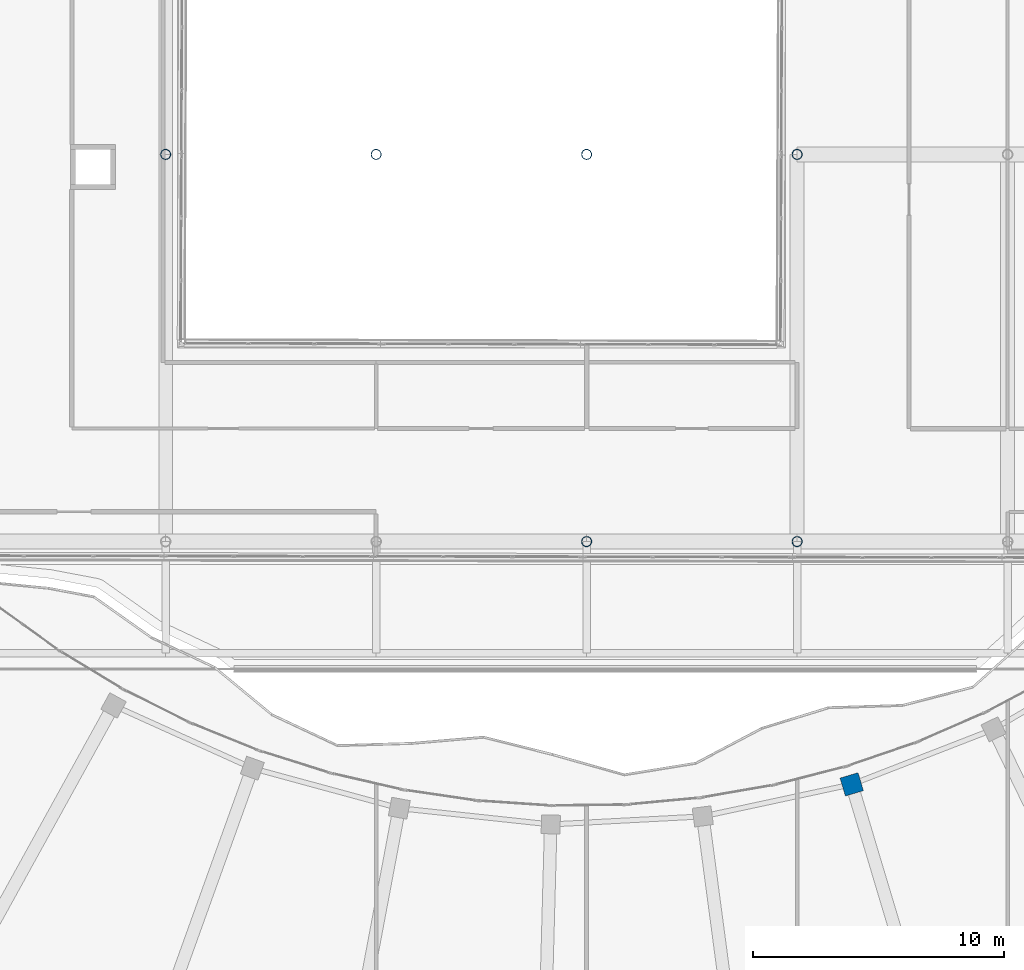
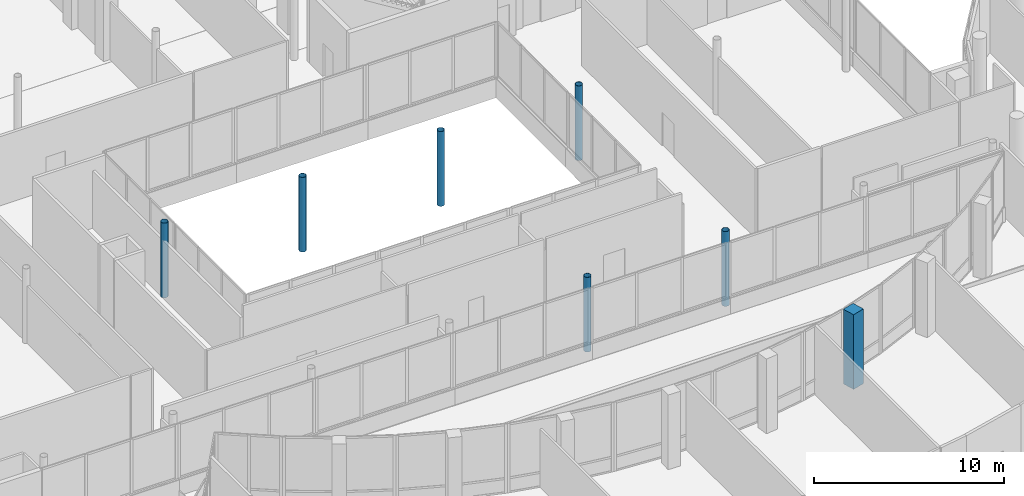
# One storey, part 3 of 168: 7 columns.
"""IFC4 building model written with IfcOpenShell, lengths in metres."""

from ifc_helpers import new_model, si_unit, direction, frame, origin, origin_2d, place, context, subcontext, project, spatial, rectangle, hollow_circle, extrude, material, material_profile, profile_set, type_object, element, save


model = new_model("IFC4")

# Units and contexts
model_context = context("Model", 3, precision=1e-05, world=origin(), true_north=direction((0.0, 1.0)))
body_context = subcontext(model_context, "Body", "Model", "MODEL_VIEW")
ifc_project = project(units=[si_unit("LENGTHUNIT", "METRE"), si_unit("AREAUNIT", "SQUARE_METRE"), si_unit("VOLUMEUNIT", "CUBIC_METRE"), si_unit("PLANEANGLEUNIT", "RADIAN"), si_unit("MASSUNIT", "GRAM", prefix="KILO")], contexts=[model_context])

# Site, building, storey
site_placement = place(None, origin())
site = spatial("IfcSite", under=ifc_project, at=site_placement, CompositionType="ELEMENT")
building_placement = place(site_placement, origin())
building = spatial("IfcBuilding", under=site, at=building_placement, Name="Selatvlak General Hospital", CompositionType="ELEMENT")
storey_placement = place(building_placement, frame((0.0, 0.0, 5.39990234375)))
storey = spatial("IfcBuildingStorey", under=building, at=storey_placement, Name="L01", CompositionType="ELEMENT", Elevation=5.39990234375)

# Columns
ifc_material_1 = material(Name="Steel S355", Category="steel")
ifc_material_profile_1 = material_profile(ifc_material_1, hollow_circle(Radius=0.203125, WallThickness=0.01611328125, at=origin_2d()), Name="CHS 406.4x16")
ifc_profile_set_1 = profile_set([ifc_material_profile_1], Name="Steel S355")
column_type_1 = type_object("IfcColumnType", Name="COL-CHS406", PredefinedType="COLUMN", material=ifc_profile_set_1)
for number, where, z_axis, x_axis, name in (
    (1, (39.60009765625, 68.0, 0.0), (0.0, 0.0, 1.0), (1.0, 0.0, 0.0), "Column 008 on L01"),
    (2, (48.0, 68.0, 0.0), (0.0, 0.0, 1.0), (1.0, 0.0, 0.0), "Column 011 on L01"),
    (3, (56.39990234375, 52.550048828125, 0.0), (0.0, 0.0, 1.0), (1.0, 0.0, 0.0), "Column 013 on L01"),
    (4, (56.39990234375, 68.0, 0.0), (0.0, 0.0, 1.0), (1.0, 0.0, 0.0), "Column 014 on L01"),
    (5, (64.800048828125, 52.550048828125, 0.0), (0.0, 0.0, 1.0), (1.0, 0.0, 0.0), "Column 016 on L01"),
    (6, (64.800048828125, 68.0, 0.0), (0.0, 0.0, 1.0), (1.0, 0.0, 0.0), "Column 017 on L01"),
):
    element("IfcColumn", number, at=place(storey_placement, frame(where, z_axis=z_axis, x_axis=x_axis)), inside=storey, type_object=column_type_1, Name=name, PredefinedType="COLUMN", context=body_context, shape_type="SweptSolid", body=[
        extrude(hollow_circle(Radius=0.203125, WallThickness=0.01611328125, at=origin_2d()), origin(), (0.0, 0.0, 1.0), 4.800048828125),
    ])
ifc_material_2 = material(Name="Concrete C50/60", Category="concrete")
ifc_material_profile_2 = material_profile(ifc_material_2, rectangle(XDim=0.75, YDim=0.75, at=origin_2d()), Name="RC-COL 750x750")
ifc_profile_set_2 = profile_set([ifc_material_profile_2], Name="Concrete C50/60")
column_type_2 = type_object("IfcColumnType", Name="COL-RC75", PredefinedType="COLUMN", material=ifc_profile_set_2)
column_placement = place(storey_placement, frame((66.97900390625, 42.861083984375, 0.0), z_axis=(0.0, 0.0, 1.0), x_axis=(-0.286858965796, 0.957972825159, 0.0)))
element("IfcColumn", 7, at=column_placement, inside=storey, type_object=column_type_2, Name="Column 328 on L01", PredefinedType="COLUMN", context=body_context, shape_type="SweptSolid", body=[
    extrude(rectangle(XDim=0.75, YDim=0.75, at=origin_2d()), origin(), (0.0, 0.0, 1.0), 4.800048828125),
])

save(model, "model.ifc")
